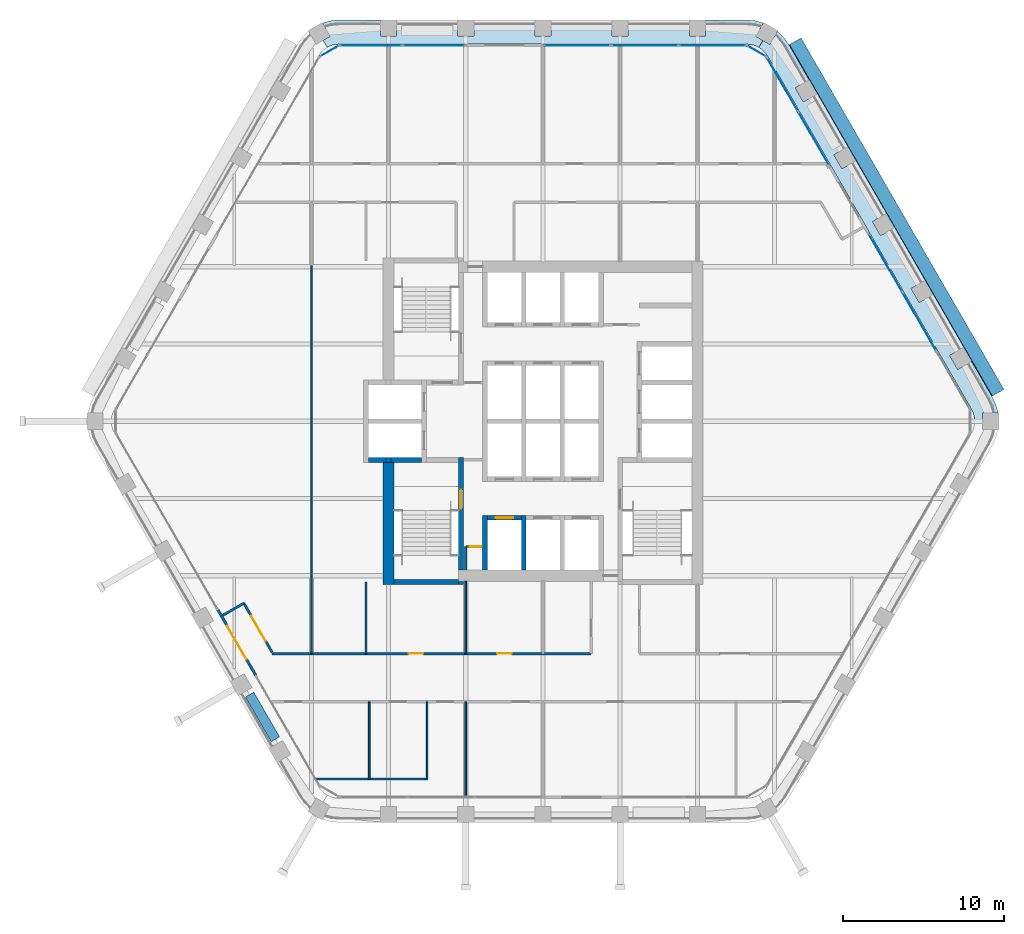
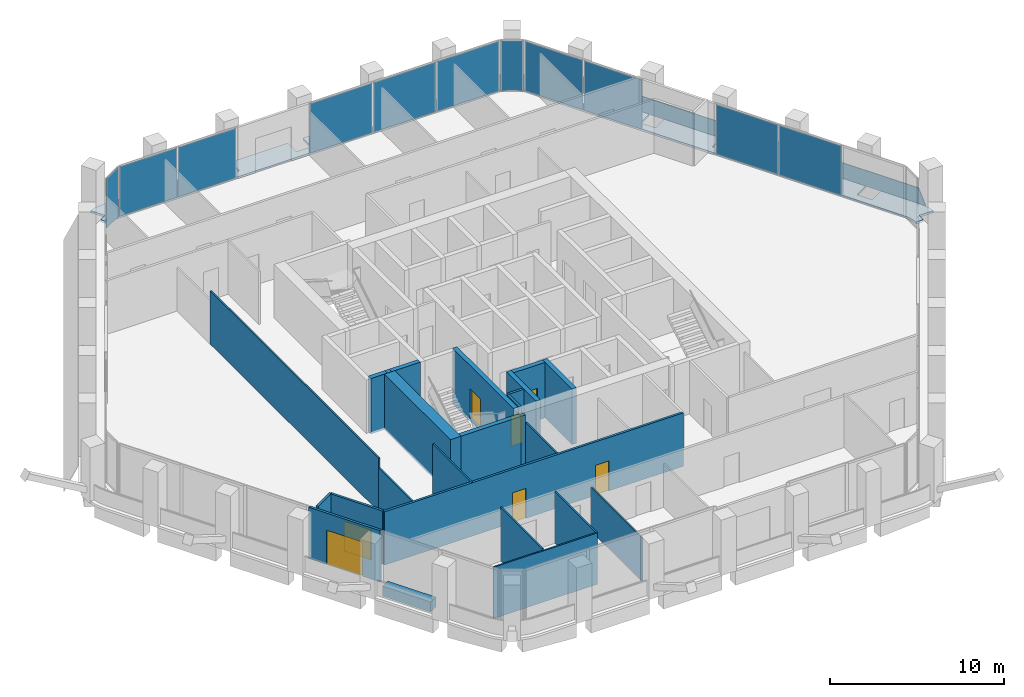
# One storey, part 9 of 16: 25 walls, 12 plates, 7 doors, 2 slabs, 7 openings, 6 elements without a shape of their own.
"""IFC4 building model written with IfcOpenShell, lengths in metres."""

from ifc_helpers import new_model, si_unit, direction, frame, frame_2d, origin, origin_2d, place, context, subcontext, project, spatial, polyline, rectangle, outline, extrude, material, layer, layer_set, type_object, element, fill, aggregate, save


model = new_model("IFC4")

# Units and contexts
model_context = context("Model", 3, precision=1e-05, world=origin(), true_north=direction((0.0, 1.0)))
body_context = subcontext(model_context, "Body", "Model", "MODEL_VIEW")
ifc_project = project(units=[si_unit("LENGTHUNIT", "METRE"), si_unit("AREAUNIT", "SQUARE_METRE"), si_unit("VOLUMEUNIT", "CUBIC_METRE"), si_unit("PLANEANGLEUNIT", "RADIAN"), si_unit("MASSUNIT", "GRAM", prefix="KILO")], contexts=[model_context])

# Site, building, storey
site_placement = place(None, origin())
site = spatial("IfcSite", under=ifc_project, at=site_placement, CompositionType="ELEMENT")
building_placement = place(site_placement, origin())
building = spatial("IfcBuilding", under=site, at=building_placement, Name="Kolab Exchange Tower", CompositionType="ELEMENT")
storey_placement = place(building_placement, frame((0.0, 0.0, 209.0)))
storey = spatial("IfcBuildingStorey", under=building, at=storey_placement, Name="L45", CompositionType="ELEMENT", Elevation=209.0)

# Slabs
ifc_material_1 = material(Name="Concrete C35/45", Category="concrete")
ifc_layer_1 = layer(ifc_material_1, 0.14990234375)
ifc_layer_set_1 = layer_set([ifc_layer_1], Name="Concrete C35/45")
slab_type = type_object("IfcSlabType", Name="LOGGIA SLAB 150", PredefinedType="FLOOR", material=ifc_layer_set_1)
slab_1_placement = place(storey_placement, frame((0.0, 0.0, -0.14990234375)))
element("IfcSlab", 1, at=slab_1_placement, inside=storey, type_object=slab_type, Name="slab/L45/loggia/0-0", PredefinedType="FLOOR", context=body_context, shape_type="SweptSolid", body=[
    extrude(outline(polyline([(13.41796875, 23.240478515625), (13.66796875, 23.673583984375), (13.23486328125, 23.923583984375), (13.713134765625, 24.751708984375), (13.694091796875, 24.760498046875), (13.18896484375, 24.89599609375), (12.66796875, 24.941650390625), (10.10009765625, 24.941650390625), (10.10009765625, 23.941650390625), (9.10009765625, 23.941650390625), (9.10009765625, 24.941650390625), (5.300048828125, 24.941650390625), (5.300048828125, 23.941650390625), (4.300048828125, 23.941650390625), (4.300048828125, 24.941650390625), (0.5, 24.941650390625), (0.5, 23.941650390625), (-0.5, 23.941650390625), (-0.5, 24.941650390625), (-4.300048828125, 24.941650390625), (-4.300048828125, 23.941650390625), (-5.300048828125, 23.941650390625), (-5.300048828125, 24.941650390625), (-9.10009765625, 24.941650390625), (-9.10009765625, 23.941650390625), (-10.10009765625, 23.941650390625), (-10.10009765625, 24.941650390625), (-12.66796875, 24.941650390625), (-13.18896484375, 24.89599609375), (-13.694091796875, 24.760498046875), (-13.713134765625, 24.751708984375), (-13.23486328125, 23.923583984375), (-13.66796875, 23.673583984375), (-13.41796875, 23.240478515625), (-13.180908203125, 23.35107421875), (-12.928466796875, 23.418701171875), (-12.66796875, 23.441650390625), (12.66796875, 23.441650390625), (12.928466796875, 23.418701171875), (13.180908203125, 23.35107421875), (13.41796875, 23.240478515625)])), origin(), (0.0, 0.0, 1.0), 0.14990234375),
])
slab_2_placement = place(storey_placement, frame((0.0, 0.0, -0.14990234375)))
element("IfcSlab", 2, at=slab_2_placement, inside=storey, type_object=slab_type, Name="slab/L45/loggia/1-0", PredefinedType="FLOOR", context=body_context, shape_type="SweptSolid", body=[
    extrude(outline(polyline([(26.8359375, 0.0), (27.3359375, 0.0), (27.3359375, 0.5), (28.292236328125, 0.5), (28.290283203125, 0.52099609375), (28.155029296875, 1.026123046875), (27.93408203125, 1.5), (26.64990234375, 3.723876953125), (25.783935546875, 3.223876953125), (25.283935546875, 4.08984375), (26.14990234375, 4.58984375), (24.25, 7.880859375), (23.384033203125, 7.380859375), (22.884033203125, 8.246826171875), (23.75, 8.746826171875), (21.85009765625, 12.037841796875), (20.98388671875, 11.537841796875), (20.48388671875, 12.40380859375), (21.35009765625, 12.90380859375), (19.449951171875, 16.194580078125), (18.583984375, 15.694580078125), (18.083984375, 16.560791015625), (18.949951171875, 17.060791015625), (17.050048828125, 20.3515625), (16.18408203125, 19.8515625), (15.68408203125, 20.717529296875), (16.550048828125, 21.217529296875), (15.26611328125, 23.441650390625), (14.966064453125, 23.869873046875), (14.59619140625, 24.23974609375), (14.5791015625, 24.251708984375), (14.10107421875, 23.423583984375), (13.66796875, 23.673583984375), (13.41796875, 23.240478515625), (13.632080078125, 23.090576171875), (13.81689453125, 22.90576171875), (13.967041015625, 22.691650390625), (26.635009765625, 0.75), (26.745361328125, 0.512939453125), (26.81298828125, 0.260498046875), (26.8359375, 0.0)])), origin(), (0.0, 0.0, 1.0), 0.14990234375),
])

# Plate
ifc_material_2 = material(Name="Laminated glass, clear", Category="glass")
ifc_layer_2 = layer(ifc_material_2, 0.0400390625)
ifc_layer_set_2 = layer_set([ifc_layer_2], Name="Laminated glass, clear")
plate_type_1 = type_object("IfcPlateType", Name="OUTER SKIN LAMINATED GLASS SHEET 40", PredefinedType="SHEET", material=ifc_layer_set_2)
plate_1_placement = place(storey_placement, frame((16.040283203125, 23.830810546875, -0.68310546875), z_axis=(0.784898656704, 0.453161865271, 0.422585402693), x_axis=(0.499999968995, -0.866025421685, 9.26315e-07)))
element("IfcPlate", 3, at=plate_1_placement, inside=storey, type_object=plate_type_1, Name="Outer skin", PredefinedType="SHEET", context=body_context, shape_type="SweptSolid", body=[
    extrude(outline(polyline([(0.0, 0.0), (25.23592824607872, 0.0), (25.235843279343595, -1.9612922777250177), (0.00012646525258337368, -1.961343862676479), (0.0, 0.0)])), origin(), (0.0, 0.0, -1.0), 0.0400390625),
])

# Curtain wall, plates
ifc_material_3 = material(Name="Aluminium EN AW-6063 T6", Category="aluminium")
curtain_wall_type = type_object("IfcCurtainWallType", Name="UNITISED UPPER MID ZONE CURTAIN WALL", PredefinedType="NOTDEFINED", material=ifc_material_3)
curtain_wall_1_placement = place(storey_placement, origin())
curtain_wall_1 = element("IfcCurtainWall", 4, at=curtain_wall_1_placement, inside=storey, type_object=curtain_wall_type, Name="cw/L45/F1-1", PredefinedType="NOTDEFINED")
ifc_material_4 = material(Name="Clear insulated glazing unit", Category="glass")
ifc_layer_3 = layer(ifc_material_4, 0.028076171875)
ifc_layer_set_3 = layer_set([ifc_layer_3], Name="Clear insulated glazing unit")
plate_type_2 = type_object("IfcPlateType", Name="UNITISED UPPER MID ZONE GLASS PANEL 28", PredefinedType="CURTAIN_PANEL", material=ifc_layer_set_3)
plate_2_placement = place(storey_placement, frame((-10.68603515625, 23.361572265625, 0.06005859375), z_axis=(0.0, 0.0, 1.0), x_axis=(1.0, 0.0, 0.0)))
plate_2 = element("IfcPlate", 5, at=plate_2_placement, type_object=plate_type_2, Name="CW3 panel 1.1", PredefinedType="CURTAIN_PANEL", context=body_context, shape_type="SweptSolid", body=[
    extrude(rectangle(XDim=3.843994140625, YDim=0.028076171875, at=origin_2d()), origin(), (0.0, 0.0, 1.0), 3.47998046875),
])
plate_3_placement = place(storey_placement, frame((-6.781982421875, 23.361572265625, 0.06005859375), z_axis=(0.0, 0.0, 1.0), x_axis=(1.0, 0.0, 0.0)))
plate_3 = element("IfcPlate", 6, at=plate_3_placement, type_object=plate_type_2, Name="CW3 panel 2.1", PredefinedType="CURTAIN_PANEL", context=body_context, shape_type="SweptSolid", body=[
    extrude(rectangle(XDim=3.843994140625, YDim=0.028076171875, at=origin_2d()), origin(), (0.0, 0.0, 1.0), 3.47998046875),
])
aggregate(curtain_wall_1, [plate_2, plate_3])

curtain_wall_2_placement = place(storey_placement, origin())
curtain_wall_2 = element("IfcCurtainWall", 7, at=curtain_wall_2_placement, inside=storey, type_object=curtain_wall_type, Name="cw/L45/F1-2", PredefinedType="NOTDEFINED")
plate_4_placement = place(storey_placement, frame((2.126220703125, 23.361572265625, 0.06005859375), z_axis=(0.0, 0.0, 1.0), x_axis=(1.0, 0.0, 0.0)))
plate_4 = element("IfcPlate", 8, at=plate_4_placement, type_object=plate_type_2, Name="CW3 panel 1.1", PredefinedType="CURTAIN_PANEL", context=body_context, shape_type="SweptSolid", body=[
    extrude(rectangle(XDim=4.132568359375, YDim=0.028076171875, at=origin_2d()), origin(), (0.0, 0.0, 1.0), 3.47998046875),
])
plate_5_placement = place(storey_placement, frame((6.333984375, 23.361572265625, 0.06005859375), z_axis=(0.0, 0.0, 1.0), x_axis=(1.0, 0.0, 0.0)))
plate_5 = element("IfcPlate", 9, at=plate_5_placement, type_object=plate_type_2, Name="CW3 panel 2.1", PredefinedType="CURTAIN_PANEL", context=body_context, shape_type="SweptSolid", body=[
    extrude(rectangle(XDim=4.16259765625, YDim=0.028076171875, at=origin_2d()), origin(), (0.0, 0.0, 1.0), 3.47998046875),
])
plate_6_placement = place(storey_placement, frame((10.54150390625, 23.361572265625, 0.06005859375), z_axis=(0.0, 0.0, 1.0), x_axis=(1.0, 0.0, 0.0)))
plate_6 = element("IfcPlate", 10, at=plate_6_placement, type_object=plate_type_2, Name="CW3 panel 3.1", PredefinedType="CURTAIN_PANEL", context=body_context, shape_type="SweptSolid", body=[
    extrude(rectangle(XDim=4.132568359375, YDim=0.028076171875, at=origin_2d()), origin(), (0.0, 0.0, 1.0), 3.47998046875),
])
aggregate(curtain_wall_2, [plate_4, plate_5, plate_6])

curtain_wall_3_placement = place(storey_placement, origin())
curtain_wall_3 = element("IfcCurtainWall", 11, at=curtain_wall_3_placement, inside=storey, type_object=curtain_wall_type, Name="cw/L45/F2-1", PredefinedType="NOTDEFINED")
plate_7_placement = place(storey_placement, frame((14.888671875, 20.93505859375, 0.06005859375), z_axis=(0.0, 0.0, 1.0), x_axis=(0.500000031681, -0.866025385493, 0.0)))
plate_7 = element("IfcPlate", 12, at=plate_7_placement, type_object=plate_type_2, Name="CW3 panel 1.1", PredefinedType="CURTAIN_PANEL", context=body_context, shape_type="SweptSolid", body=[
    extrude(rectangle(XDim=3.843994140625, YDim=0.028076171875, at=origin_2d()), origin(), (0.0, 0.0, 1.0), 3.47998046875),
])
plate_8_placement = place(storey_placement, frame((16.840576171875, 17.55419921875, 0.06005859375), z_axis=(0.0, 0.0, 1.0), x_axis=(0.500000031681, -0.866025385493, 0.0)))
plate_8 = element("IfcPlate", 13, at=plate_8_placement, type_object=plate_type_2, Name="CW3 panel 2.1", PredefinedType="CURTAIN_PANEL", context=body_context, shape_type="SweptSolid", body=[
    extrude(rectangle(XDim=3.843994140625, YDim=0.028076171875, at=origin_2d()), origin(), (0.0, 0.0, 1.0), 3.47998046875),
])
aggregate(curtain_wall_3, [plate_7, plate_8])

curtain_wall_4_placement = place(storey_placement, origin())
curtain_wall_4 = element("IfcCurtainWall", 14, at=curtain_wall_4_placement, inside=storey, type_object=curtain_wall_type, Name="cw/L45/F2-2", PredefinedType="NOTDEFINED")
plate_9_placement = place(storey_placement, frame((21.294921875, 9.83935546875, 0.06005859375), z_axis=(0.0, 0.0, 1.0), x_axis=(0.499999958358, -0.866025427826, 0.0)))
plate_9 = element("IfcPlate", 15, at=plate_9_placement, type_object=plate_type_2, Name="CW3 panel 1.1", PredefinedType="CURTAIN_PANEL", context=body_context, shape_type="SweptSolid", body=[
    extrude(rectangle(XDim=4.132568359375, YDim=0.028076171875, at=origin_2d()), origin(), (0.0, 0.0, 1.0), 3.47998046875),
])
plate_10_placement = place(storey_placement, frame((23.398681640625, 6.1953125, 0.06005859375), z_axis=(0.0, 0.0, 1.0), x_axis=(0.499999958358, -0.866025427826, 0.0)))
plate_10 = element("IfcPlate", 16, at=plate_10_placement, type_object=plate_type_2, Name="CW3 panel 2.1", PredefinedType="CURTAIN_PANEL", context=body_context, shape_type="SweptSolid", body=[
    extrude(rectangle(XDim=4.16259765625, YDim=0.028076171875, at=origin_2d()), origin(), (0.0, 0.0, 1.0), 3.47998046875),
])
aggregate(curtain_wall_4, [plate_9, plate_10])

# Curtain wall, plate
curtain_wall_5_placement = place(storey_placement, origin())
curtain_wall_5 = element("IfcCurtainWall", 17, at=curtain_wall_5_placement, inside=storey, type_object=curtain_wall_type, Name="cw/L45/F1F2-corner", PredefinedType="NOTDEFINED")
plate_11_placement = place(storey_placement, frame((13.28271484375, 23.006591796875, 0.06005859375), z_axis=(0.0, 0.0, 1.0), x_axis=(0.866025390869, -0.50000002237, 0.0)))
plate_11 = element("IfcPlate", 18, at=plate_11_placement, type_object=plate_type_2, Name="CW3 panel 1.1", PredefinedType="CURTAIN_PANEL", context=body_context, shape_type="SweptSolid", body=[
    extrude(rectangle(XDim=1.300048828125, YDim=0.028076171875, at=origin_2d()), origin(), (0.0, 0.0, 1.0), 3.47998046875),
])
aggregate(curtain_wall_5, [plate_11])

curtain_wall_6_placement = place(storey_placement, origin())
curtain_wall_6 = element("IfcCurtainWall", 19, at=curtain_wall_6_placement, inside=storey, type_object=curtain_wall_type, Name="cw/L45/F6F1-corner", PredefinedType="NOTDEFINED")
plate_12_placement = place(storey_placement, frame((-13.28271484375, 23.006591796875, 0.06005859375), z_axis=(0.0, 0.0, 1.0), x_axis=(0.866025390869, 0.50000002237, 0.0)))
plate_12 = element("IfcPlate", 20, at=plate_12_placement, type_object=plate_type_2, Name="CW3 panel 1.1", PredefinedType="CURTAIN_PANEL", context=body_context, shape_type="SweptSolid", body=[
    extrude(rectangle(XDim=1.300048828125, YDim=0.028076171875, at=origin_2d()), origin(), (0.0, 0.0, 1.0), 3.47998046875),
])
aggregate(curtain_wall_6, [plate_12])

# Wall
ifc_material_5 = material(Name="Concrete C60/75", Category="concrete")
ifc_layer_4 = layer(ifc_material_5, 0.699951171875)
ifc_layer_set_4 = layer_set([ifc_layer_4], Name="Concrete C60/75")
wall_type_1 = type_object("IfcWallType", Name="CORE WALL 700 C60/75", PredefinedType="SHEAR", material=ifc_layer_set_4)
wall_1_placement = place(storey_placement, frame((-9.60009765625, -10.14990234375, -0.14990234375), z_axis=(0.0, 0.0, 1.0), x_axis=(0.0, 1.0, 0.0)))
element("IfcWall", 21, at=wall_1_placement, inside=storey, type_object=wall_type_1, Name="wall/L45/core/034", PredefinedType="SHEAR", context=body_context, shape_type="SweptSolid", body=[
    extrude(rectangle(XDim=7.599853515625, YDim=0.699951171875, at=frame_2d((3.7998046875, 0.0))), origin(), (0.0, 0.0, 1.0), 3.89990234375),
])

# Wall, opening, door
ifc_layer_5 = layer(ifc_material_3, 0.159912109375)
ifc_layer_set_5 = layer_set([ifc_layer_5], Name="Aluminium EN AW-6063 T6")
wall_type_2 = type_object("IfcWallType", Name="DOOR SURROUND WALL 160 ALUMINIUM FRAMED", PredefinedType="PARTITIONING", material=ifc_layer_set_5)
wall_2_placement = place(storey_placement, frame((-17.8466796875, -15.811767578125, 0.0), z_axis=(0.0, 0.0, 1.0), x_axis=(-0.5000167099, 0.866015756104, 0.0)))
wall_2 = element("IfcWall", 22, at=wall_2_placement, inside=storey, type_object=wall_type_2, Name="Door surround wall", PredefinedType="PARTITIONING", context=body_context, shape_type="SweptSolid", body=[
    extrude(rectangle(XDim=4.739990234375, YDim=0.159912109375, at=frame_2d((2.3701171875, 0.0))), origin(), (0.0, 0.0, 1.0), 3.60009765625),
])
opening_1_placement = place(wall_2_placement, frame((1.169921875, 0.0, 0.0)))
opening_1 = element("IfcOpeningElement", 23, at=opening_1_placement, cuts=wall_2, Name="Opening GD1-074", PredefinedType="OPENING", context=body_context, shape_type="SweptSolid", body=[
    extrude(rectangle(XDim=2.39990234375, YDim=2.39990234375, at=frame_2d((1.199951171875, 1.199951171875))), frame((0.0, 0.08984375, 0.0), z_axis=(0.0, -1.0, 0.0), x_axis=(1.0, 0.0, 0.0)), (0.0, 0.0, 1.0), 0.179931640625),
])
door_type_1 = type_object("IfcDoorType", Name="LOGGIA SLIDING GLASS DOOR 2400 X 2400", OperationType="DOUBLE_DOOR_SINGLE_SWING", PredefinedType="DOOR", material=ifc_material_3)
door_1_placement = place(opening_1_placement, origin())
door_1 = element("IfcDoor", 24, at=door_1_placement, inside=storey, type_object=door_type_1, Name="Loggia door", OperationType="DOUBLE_DOOR_SLIDING", OverallHeight=2.39990234375, OverallWidth=2.39990234375, PredefinedType="DOOR", context=body_context, shape_type="SweptSolid", body=[
    extrude(rectangle(XDim=2.39990234375, YDim=2.39990234375, at=frame_2d((1.199951171875, 1.199951171875))), frame((0.0, 0.02490234375, 0.0), z_axis=(0.0, -1.0, 0.0), x_axis=(1.0, 0.0, 0.0)), (0.0, 0.0, 1.0), 0.050048828125),
])
fill(opening_1, door_1)

ifc_material_6 = material(Name="Concrete C50/60", Category="concrete")
ifc_layer_6 = layer(ifc_material_6, 0.300048828125)
ifc_layer_set_6 = layer_set([ifc_layer_6], Name="Concrete C50/60")
wall_type_3 = type_object("IfcWallType", Name="LIFT SHAFT WALL 300 C50/60", PredefinedType="STANDARD", material=ifc_layer_set_6)
wall_3_placement = place(storey_placement, frame((-3.449951171875, -6.0, -0.14990234375), z_axis=(0.0, 0.0, 1.0), x_axis=(1.0, 0.0, 0.0)))
wall_3 = element("IfcWall", 25, at=wall_3_placement, inside=storey, type_object=wall_type_3, Name="wall/L45/core/003", PredefinedType="STANDARD", context=body_context, shape_type="SweptSolid", body=[
    extrude(rectangle(XDim=2.099853515625, YDim=0.300048828125, at=frame_2d((1.0498046875, 0.0))), origin(), (0.0, 0.0, 1.0), 3.89990234375),
])
opening_2_placement = place(wall_3_placement, frame((0.5, 0.0, 0.14990234375)))
opening_2 = element("IfcOpeningElement", 26, at=opening_2_placement, cuts=wall_3, Name="Opening LD1-110", PredefinedType="OPENING", context=body_context, shape_type="SweptSolid", body=[
    extrude(rectangle(XDim=1.10009765625, YDim=2.10009765625, at=frame_2d((0.550048828125, 1.050048828125))), frame((0.0, 0.16015625, 0.0), z_axis=(0.0, -1.0, 0.0), x_axis=(1.0, 0.0, 0.0)), (0.0, 0.0, 1.0), 0.320068359375),
])
ifc_material_7 = material(Name="Stainless steel 316", Category="steel")
door_type_2 = type_object("IfcDoorType", Name="LANDING DOOR 1100 PASSENGER", OperationType="DOUBLE_DOOR_SLIDING", PredefinedType="DOOR", material=ifc_material_7)
door_2_placement = place(opening_2_placement, origin())
door_2 = element("IfcDoor", 27, at=door_2_placement, inside=storey, type_object=door_type_2, Name="Landing door HR10", OperationType="DOUBLE_DOOR_SLIDING", OverallHeight=2.10009765625, OverallWidth=1.10009765625, PredefinedType="DOOR", context=body_context, shape_type="SweptSolid", body=[
    extrude(rectangle(XDim=1.10009765625, YDim=2.10009765625, at=frame_2d((0.550048828125, 1.050048828125))), frame((0.0, 0.02490234375, 0.0), z_axis=(0.0, -1.0, 0.0), x_axis=(1.0, 0.0, 0.0)), (0.0, 0.0, 1.0), 0.050048828125),
])
fill(opening_2, door_2)

# Walls
wall_4_placement = place(storey_placement, frame((-10.85009765625, -2.39990234375, -0.14990234375), z_axis=(0.0, 0.0, 1.0), x_axis=(1.0, 0.0, 0.0)))
element("IfcWall", 28, at=wall_4_placement, inside=storey, type_object=wall_type_3, Name="wall/L45/core/009", PredefinedType="STANDARD", context=body_context, shape_type="SweptSolid", body=[
    extrude(rectangle(XDim=1.10009765625, YDim=0.300048828125, at=frame_2d((0.550048828125, 0.0))), origin(), (0.0, 0.0, 1.0), 3.89990234375),
])
for number, where, z_axis, x_axis, name in (
    (29, (-3.60009765625, -9.25, -0.14990234375), (0.0, 0.0, 1.0), (0.0, 1.0, 0.0), "wall/L45/core/043"),
    (30, (-1.199951171875, -9.25, -0.14990234375), (0.0, 0.0, 1.0), (0.0, 1.0, 0.0), "wall/L45/core/046"),
):
    element("IfcWall", number, at=place(storey_placement, frame(where, z_axis=z_axis, x_axis=x_axis)), inside=storey, type_object=wall_type_3, Name=name, PredefinedType="STANDARD", context=body_context, shape_type="SweptSolid", body=[
        extrude(rectangle(XDim=3.39990234375, YDim=0.300048828125, at=frame_2d((1.699951171875, 0.0))), origin(), (0.0, 0.0, 1.0), 3.89990234375),
    ])
ifc_material_8 = material(Name="Gypsum board", Category="gypsum")
ifc_layer_7 = layer(ifc_material_8, 0.10009765625)
ifc_layer_set_7 = layer_set([ifc_layer_7], Name="Gypsum board")
wall_type_4 = type_object("IfcWallType", Name="PARTITION 100", PredefinedType="PARTITIONING", material=ifc_layer_set_7)
wall_5_placement = place(storey_placement, frame((-4.800048828125, -23.271484375, 0.0), z_axis=(0.0, 0.0, 1.0), x_axis=(0.0, 1.0, 0.0)))
element("IfcWall", 31, at=wall_5_placement, inside=storey, type_object=wall_type_4, Name="Partition 013", PredefinedType="PARTITIONING", context=body_context, shape_type="SweptSolid", body=[
    extrude(rectangle(XDim=5.830078125, YDim=0.10009765625, at=frame_2d((2.9150390625, 0.0))), origin(), (0.0, 0.0, 1.0), 3.06591796875),
])
wall_6_placement = place(storey_placement, frame((-4.800048828125, -14.44140625, 0.0), z_axis=(0.0, 0.0, 1.0), x_axis=(0.0, 1.0, 0.0)))
element("IfcWall", 32, at=wall_6_placement, inside=storey, type_object=wall_type_4, Name="Partition 014", PredefinedType="PARTITIONING", context=body_context, shape_type="SweptSolid", body=[
    extrude(rectangle(XDim=4.491455078125, YDim=0.10009765625, at=frame_2d((2.24560546875, 0.0))), origin(), (0.0, 0.0, 1.0), 3.06591796875),
])
wall_7_placement = place(storey_placement, frame((-7.199951171875, -22.241455078125, 0.0), z_axis=(0.0, 0.0, 1.0), x_axis=(0.0, 1.0, 0.0)))
element("IfcWall", 33, at=wall_7_placement, inside=storey, type_object=wall_type_4, Name="Partition 017", PredefinedType="PARTITIONING", context=body_context, shape_type="SweptSolid", body=[
    extrude(rectangle(XDim=4.800048828125, YDim=0.10009765625, at=frame_2d((2.39990234375, 0.0))), origin(), (0.0, 0.0, 1.0), 3.60009765625),
])
wall_8_placement = place(storey_placement, frame((-10.800048828125, -22.241455078125, 0.0), z_axis=(0.0, 0.0, 1.0), x_axis=(0.0, 1.0, 0.0)))
element("IfcWall", 34, at=wall_8_placement, inside=storey, type_object=wall_type_4, Name="Partition 019", PredefinedType="PARTITIONING", context=body_context, shape_type="SweptSolid", body=[
    extrude(rectangle(XDim=4.800048828125, YDim=0.10009765625, at=frame_2d((2.39990234375, 0.0))), origin(), (0.0, 0.0, 1.0), 3.75),
])
wall_9_placement = place(storey_placement, frame((-11.0, -14.44140625, 0.0), z_axis=(0.0, 0.0, 1.0), x_axis=(0.0, 1.0, 0.0)))
element("IfcWall", 35, at=wall_9_placement, inside=storey, type_object=wall_type_4, Name="Partition 020", PredefinedType="PARTITIONING", context=body_context, shape_type="SweptSolid", body=[
    extrude(rectangle(XDim=4.44140625, YDim=0.10009765625, at=frame_2d((2.220703125, 0.0))), origin(), (0.0, 0.0, 1.0), 3.75),
])
wall_10_placement = place(storey_placement, frame((-14.39990234375, -9.693603515625, 0.0), z_axis=(0.0, 0.0, 1.0), x_axis=(0.0, 1.0, 0.0)))
element("IfcWall", 36, at=wall_10_placement, inside=storey, type_object=wall_type_4, Name="Partition 022", PredefinedType="PARTITIONING", context=body_context, shape_type="SweptSolid", body=[
    extrude(rectangle(XDim=19.38720703125, YDim=0.10009765625, at=frame_2d((9.693603515625, 0.0))), origin(), (0.0, 0.0, 1.0), 3.75),
])
wall_11_placement = place(storey_placement, frame((-14.39990234375, -14.44140625, 0.0), z_axis=(0.0, 0.0, 1.0), x_axis=(0.0, 1.0, 0.0)))
element("IfcWall", 37, at=wall_11_placement, inside=storey, type_object=wall_type_4, Name="Partition 022", PredefinedType="PARTITIONING", context=body_context, shape_type="SweptSolid", body=[
    extrude(rectangle(XDim=4.747802734375, YDim=0.10009765625, at=frame_2d((2.3740234375, 0.0))), origin(), (0.0, 0.0, 1.0), 3.06591796875),
])
wall_12_placement = place(storey_placement, frame((-14.088134765625, -22.241455078125, 0.0), z_axis=(0.0, 0.0, 1.0), x_axis=(1.0, 0.0, 0.0)))
element("IfcWall", 38, at=wall_12_placement, inside=storey, type_object=wall_type_4, Name="Partition 028", PredefinedType="PARTITIONING", context=body_context, shape_type="SweptSolid", body=[
    extrude(rectangle(XDim=6.88818359375, YDim=0.10009765625, at=frame_2d((3.444091796875, 0.0))), origin(), (0.0, 0.0, 1.0), 3.60009765625),
])
ifc_layer_8 = layer(ifc_material_8, 0.14990234375)
ifc_layer_set_8 = layer_set([ifc_layer_8], Name="Gypsum board")
wall_type_5 = type_object("IfcWallType", Name="PARTITION 150 FIRE-RATED", PredefinedType="PARTITIONING", material=ifc_layer_set_8)
wall_13_placement = place(storey_placement, frame((-4.800048828125, -9.25, 0.0), z_axis=(0.0, 0.0, 1.0), x_axis=(0.0, 1.0, 0.0)))
element("IfcWall", 39, at=wall_13_placement, inside=storey, type_object=wall_type_5, Name="Partition 015", PredefinedType="PARTITIONING", context=body_context, shape_type="SweptSolid", body=[
    extrude(rectangle(XDim=1.449951171875, YDim=0.14990234375, at=frame_2d((0.72509765625, 0.0))), origin(), (0.0, 0.0, 1.0), 3.75),
])

# Wall, opening, door
wall_14_placement = place(storey_placement, frame((-18.595947265625, -11.313720703125, 0.0), z_axis=(0.0, 0.0, 1.0), x_axis=(0.499980607609, -0.866036599697, 0.0)))
wall_14 = element("IfcWall", 40, at=wall_14_placement, inside=storey, type_object=wall_type_5, Name="Partition 024", PredefinedType="PARTITIONING", context=body_context, shape_type="SweptSolid", body=[
    extrude(rectangle(XDim=3.520263671875, YDim=0.14990234375, at=frame_2d((1.76025390625, 0.0))), origin(), (0.0, 0.0, 1.0), 3.75),
])
opening_3_placement = place(wall_14_placement, frame((0.925048828125, 0.0, 0.0)))
opening_3 = element("IfcOpeningElement", 41, at=opening_3_placement, cuts=wall_14, Name="Opening D2-060", PredefinedType="OPENING", context=body_context, shape_type="SweptSolid", body=[
    extrude(rectangle(XDim=1.800048828125, YDim=2.10009765625, at=frame_2d((0.89990234375, 1.050048828125))), frame((0.0, 0.0849609375, 0.0), z_axis=(0.0, -1.0, 0.0), x_axis=(1.0, 0.0, 0.0)), (0.0, 0.0, 1.0), 0.169921875),
])
ifc_material_9 = material(Name="Steel S235", Category="steel")
door_type_3 = type_object("IfcDoorType", Name="DOUBLE DOOR 1800 FD60", OperationType="DOUBLE_DOOR_SINGLE_SWING", PredefinedType="DOOR", material=ifc_material_9)
door_3_placement = place(opening_3_placement, origin())
door_3 = element("IfcDoor", 42, at=door_3_placement, inside=storey, type_object=door_type_3, Name="Door L45-052", OperationType="SINGLE_SWING_RIGHT", OverallHeight=2.10009765625, OverallWidth=1.800048828125, PredefinedType="DOOR", context=body_context, shape_type="SweptSolid", body=[
    extrude(rectangle(XDim=1.800048828125, YDim=2.10009765625, at=frame_2d((0.89990234375, 1.050048828125))), frame((0.0, 0.02490234375, 0.0), z_axis=(0.0, -1.0, 0.0), x_axis=(1.0, 0.0, 0.0)), (0.0, 0.0, 1.0), 0.050048828125),
])
fill(opening_3, door_3)

# Wall
wall_15_placement = place(storey_placement, frame((-19.912353515625, -12.07373046875, 0.0), z_axis=(0.0, 0.0, 1.0), x_axis=(0.866030456496, 0.499991248344, 0.0)))
element("IfcWall", 43, at=wall_15_placement, inside=storey, type_object=wall_type_5, Name="Partition 026", PredefinedType="PARTITIONING", context=body_context, shape_type="SweptSolid", body=[
    extrude(rectangle(XDim=1.52001953125, YDim=0.14990234375, at=frame_2d((0.760009765625, 0.0))), origin(), (0.0, 0.0, 1.0), 3.75),
])

# Wall, openings, doors
wall_16_placement = place(storey_placement, frame((-16.843017578125, -14.44140625, 0.0), z_axis=(0.0, 0.0, 1.0), x_axis=(1.0, 0.0, 0.0)))
wall_16 = element("IfcWall", 44, at=wall_16_placement, inside=storey, type_object=wall_type_5, Name="Partition 030", PredefinedType="PARTITIONING", context=body_context, shape_type="SweptSolid", body=[
    extrude(rectangle(XDim=19.843017578125, YDim=0.14990234375, at=frame_2d((9.92138671875, 0.0))), origin(), (0.0, 0.0, 1.0), 3.75),
])
opening_4_placement = place(wall_16_placement, frame((8.492919921875, 0.0, 0.0)))
opening_4 = element("IfcOpeningElement", 45, at=opening_4_placement, cuts=wall_16, Name="Opening D3-064", PredefinedType="OPENING", context=body_context, shape_type="SweptSolid", body=[
    extrude(rectangle(XDim=0.89990234375, YDim=2.10009765625, at=frame_2d((0.449951171875, 1.050048828125))), frame((0.0, 0.0849609375, 0.0), z_axis=(0.0, -1.0, 0.0), x_axis=(1.0, 0.0, 0.0)), (0.0, 0.0, 1.0), 0.169921875),
])
opening_5_placement = place(wall_16_placement, frame((13.992919921875, 0.0, 0.0)))
opening_5 = element("IfcOpeningElement", 46, at=opening_5_placement, cuts=wall_16, Name="Opening D3-065", PredefinedType="OPENING", context=body_context, shape_type="SweptSolid", body=[
    extrude(rectangle(XDim=0.89990234375, YDim=2.10009765625, at=frame_2d((0.449951171875, 1.050048828125))), frame((0.0, 0.0849609375, 0.0), z_axis=(0.0, -1.0, 0.0), x_axis=(1.0, 0.0, 0.0)), (0.0, 0.0, 1.0), 0.169921875),
])
door_type_4 = type_object("IfcDoorType", Name="FLUSH DOOR 900 FD60", OperationType="SINGLE_SWING_LEFT", PredefinedType="DOOR", material=ifc_material_9)
door_4_placement = place(opening_4_placement, origin())
door_4 = element("IfcDoor", 47, at=door_4_placement, inside=storey, type_object=door_type_4, Name="Door L45-035", OperationType="SINGLE_SWING_LEFT", OverallHeight=2.10009765625, OverallWidth=0.89990234375, PredefinedType="DOOR", context=body_context, shape_type="SweptSolid", body=[
    extrude(rectangle(XDim=0.89990234375, YDim=2.10009765625, at=frame_2d((0.449951171875, 1.050048828125))), frame((0.0, 0.02490234375, 0.0), z_axis=(0.0, -1.0, 0.0), x_axis=(1.0, 0.0, 0.0)), (0.0, 0.0, 1.0), 0.050048828125),
])
fill(opening_4, door_4)
door_5_placement = place(opening_5_placement, origin())
door_5 = element("IfcDoor", 48, at=door_5_placement, inside=storey, type_object=door_type_4, Name="Door L45-036", OperationType="SINGLE_SWING_LEFT", OverallHeight=2.10009765625, OverallWidth=0.89990234375, PredefinedType="DOOR", context=body_context, shape_type="SweptSolid", body=[
    extrude(rectangle(XDim=0.89990234375, YDim=2.10009765625, at=frame_2d((0.449951171875, 1.050048828125))), frame((0.0, 0.02490234375, 0.0), z_axis=(0.0, -1.0, 0.0), x_axis=(1.0, 0.0, 0.0)), (0.0, 0.0, 1.0), 0.050048828125),
])
fill(opening_5, door_5)

# Wall, opening, door
wall_17_placement = place(storey_placement, frame((-4.800048828125, -7.800048828125, 0.0), z_axis=(0.0, 0.0, 1.0), x_axis=(1.0, 0.0, 0.0)))
wall_17 = element("IfcWall", 49, at=wall_17_placement, inside=storey, type_object=wall_type_5, Name="Partition 032", PredefinedType="PARTITIONING", context=body_context, shape_type="SweptSolid", body=[
    extrude(rectangle(XDim=1.050048828125, YDim=0.14990234375, at=frame_2d((0.52490234375, 0.0))), origin(), (0.0, 0.0, 1.0), 3.75),
])
opening_6_placement = place(wall_17_placement, frame((0.199951171875, 0.0, 0.0)))
opening_6 = element("IfcOpeningElement", 50, at=opening_6_placement, cuts=wall_17, Name="Opening D7-031", PredefinedType="OPENING", context=body_context, shape_type="SweptSolid", body=[
    extrude(rectangle(XDim=0.800048828125, YDim=2.10009765625, at=frame_2d((0.39990234375, 1.050048828125))), frame((0.0, 0.0849609375, 0.0), z_axis=(0.0, -1.0, 0.0), x_axis=(1.0, 0.0, 0.0)), (0.0, 0.0, 1.0), 0.169921875),
])
door_type_5 = type_object("IfcDoorType", Name="FLUSH DOOR 800 FD60", OperationType="SINGLE_SWING_LEFT", PredefinedType="DOOR", material=ifc_material_9)
door_6_placement = place(opening_6_placement, frame((0.800048828125, 0.0, 0.0), z_axis=(0.0, 0.0, 1.0), x_axis=(-1.0, 0.0, 0.0)))
door_6 = element("IfcDoor", 51, at=door_6_placement, inside=storey, type_object=door_type_5, Name="Door L45-024", OperationType="SINGLE_SWING_RIGHT", OverallHeight=2.10009765625, OverallWidth=0.800048828125, PredefinedType="DOOR", context=body_context, shape_type="SweptSolid", body=[
    extrude(rectangle(XDim=0.800048828125, YDim=2.10009765625, at=frame_2d((0.39990234375, 1.050048828125))), frame((0.0, 0.02490234375, 0.0), z_axis=(0.0, -1.0, 0.0), x_axis=(1.0, 0.0, 0.0)), (0.0, 0.0, 1.0), 0.050048828125),
])
fill(opening_6, door_6)

# Walls
ifc_material_10 = material(Name="Granite facing", Category="masonry")
ifc_layer_9 = layer(ifc_material_10, 0.0400390625)
ifc_material_11 = material(Name="Concrete C40/50 precast", Category="concrete")
ifc_layer_10 = layer(ifc_material_11, 0.56005859375)
ifc_layer_set_9 = layer_set([ifc_layer_9, ifc_layer_10], Name="Concrete C40/50 precast")
wall_type_6 = type_object("IfcWallType", Name="PLANTER BOX 600 X 700 SOIL DEPTH 550", PredefinedType="USERDEFINED", material=ifc_layer_set_9)
wall_18_placement = place(storey_placement, frame((-16.636962890625, -19.766845703125, 0.0), z_axis=(0.0, 0.0, 1.0), x_axis=(-0.500028443584, 0.866008981251, 0.0)))
element("IfcWall", 52, at=wall_18_placement, inside=storey, type_object=wall_type_6, Name="Planter", ObjectType="PLANTER", PredefinedType="USERDEFINED", context=body_context, shape_type="SweptSolid", body=[
    extrude(rectangle(XDim=3.199951171875, YDim=0.60009765625, at=frame_2d((1.60009765625, 0.0))), origin(), (0.0, 0.0, 1.0), 0.699951171875),
])
ifc_layer_11 = layer(ifc_material_6, 0.300048828125)
ifc_layer_set_10 = layer_set([ifc_layer_11], Name="Concrete C50/60")
wall_type_7 = type_object("IfcWallType", Name="STAIR ENCLOSURE WALL 300 C50/60", PredefinedType="STANDARD", material=ifc_layer_set_10)
wall_19_placement = place(storey_placement, frame((-9.25, -10.0, -0.14990234375), z_axis=(0.0, 0.0, 1.0), x_axis=(1.0, 0.0, 0.0)))
element("IfcWall", 53, at=wall_19_placement, inside=storey, type_object=wall_type_7, Name="wall/L45/core/000", PredefinedType="STANDARD", context=body_context, shape_type="SweptSolid", body=[
    extrude(rectangle(XDim=4.0, YDim=0.300048828125, at=frame_2d((2.0, 0.0))), origin(), (0.0, 0.0, 1.0), 3.89990234375),
])
wall_20_placement = place(storey_placement, frame((-9.449951171875, -2.39990234375, -0.14990234375), z_axis=(0.0, 0.0, 1.0), x_axis=(1.0, 0.0, 0.0)))
element("IfcWall", 54, at=wall_20_placement, inside=storey, type_object=wall_type_7, Name="wall/L45/core/010", PredefinedType="STANDARD", context=body_context, shape_type="SweptSolid", body=[
    extrude(rectangle(XDim=1.89990234375, YDim=0.300048828125, at=frame_2d((0.949951171875, 0.0))), origin(), (0.0, 0.0, 1.0), 3.89990234375),
])
wall_21_placement = place(storey_placement, frame((-9.60009765625, -2.550048828125, -0.14990234375), z_axis=(0.0, 0.0, 1.0), x_axis=(0.0, 1.0, 0.0)))
element("IfcWall", 55, at=wall_21_placement, inside=storey, type_object=wall_type_7, Name="wall/L45/core/035", PredefinedType="STANDARD", context=body_context, shape_type="SweptSolid", body=[
    extrude(rectangle(XDim=0.300048828125, YDim=0.300048828125, at=frame_2d((0.14990234375, 0.0))), origin(), (0.0, 0.0, 1.0), 3.89990234375),
])
wall_22_placement = place(storey_placement, frame((-5.10009765625, -10.14990234375, -0.14990234375), z_axis=(0.0, 0.0, 1.0), x_axis=(0.0, 1.0, 0.0)))
element("IfcWall", 56, at=wall_22_placement, inside=storey, type_object=wall_type_7, Name="wall/L45/core/039", PredefinedType="STANDARD", context=body_context, shape_type="SweptSolid", body=[
    extrude(rectangle(XDim=0.199951171875, YDim=0.300048828125, at=frame_2d((0.10009765625, 0.0))), origin(), (0.0, 0.0, 1.0), 3.89990234375),
])

# Wall, opening, door
wall_23_placement = place(storey_placement, frame((-5.10009765625, -9.25, -0.14990234375), z_axis=(0.0, 0.0, 1.0), x_axis=(0.0, 1.0, 0.0)))
wall_23 = element("IfcWall", 57, at=wall_23_placement, inside=storey, type_object=wall_type_7, Name="wall/L45/core/040", PredefinedType="STANDARD", context=body_context, shape_type="SweptSolid", body=[
    extrude(rectangle(XDim=7.0, YDim=0.300048828125, at=frame_2d((3.5, 0.0))), origin(), (0.0, 0.0, 1.0), 3.89990234375),
])
opening_7_placement = place(wall_23_placement, frame((3.800048828125, 0.0, 0.14990234375)))
opening_7 = element("IfcOpeningElement", 58, at=opening_7_placement, cuts=wall_23, Name="Opening D4-068", PredefinedType="OPENING", context=body_context, shape_type="SweptSolid", body=[
    extrude(rectangle(XDim=1.199951171875, YDim=2.10009765625, at=frame_2d((0.60009765625, 1.050048828125))), frame((0.0, 0.16015625, 0.0), z_axis=(0.0, -1.0, 0.0), x_axis=(1.0, 0.0, 0.0)), (0.0, 0.0, 1.0), 0.320068359375),
])
door_type_6 = type_object("IfcDoorType", Name="STAIR DOOR 1200 EI 120", OperationType="SINGLE_SWING_LEFT", PredefinedType="DOOR", material=ifc_material_9)
door_7_placement = place(opening_7_placement, origin())
door_7 = element("IfcDoor", 59, at=door_7_placement, inside=storey, type_object=door_type_6, Name="Stair 3 door", OperationType="SINGLE_SWING_RIGHT", OverallHeight=2.10009765625, OverallWidth=1.199951171875, PredefinedType="DOOR", context=body_context, shape_type="SweptSolid", body=[
    extrude(rectangle(XDim=1.199951171875, YDim=2.10009765625, at=frame_2d((0.60009765625, 1.050048828125))), frame((0.0, 0.02490234375, 0.0), z_axis=(0.0, -1.0, 0.0), x_axis=(1.0, 0.0, 0.0)), (0.0, 0.0, 1.0), 0.050048828125),
])
fill(opening_7, door_7)

save(model, "model.ifc")
